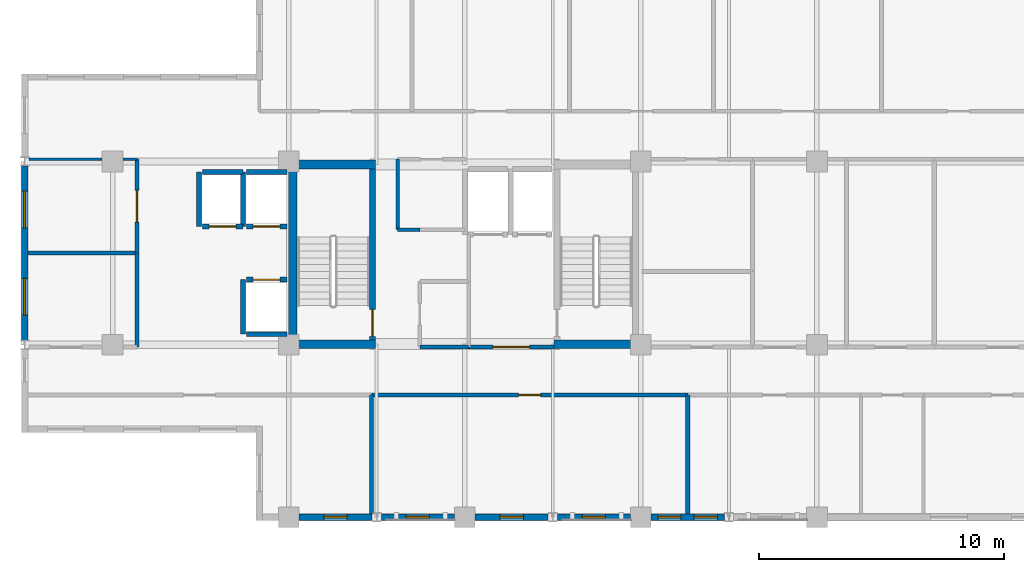
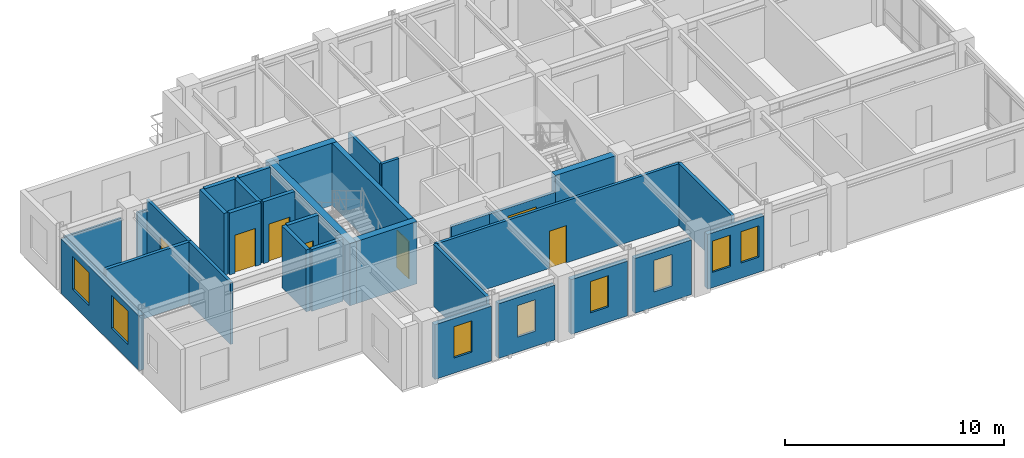
# One storey, part 6 of 10: 32 walls, 8 windows, 7 doors, 15 openings.
"""IFC4 building model written with IfcOpenShell, lengths in metres."""

import ifcopenshell
import ifcopenshell.guid

model = None  # the IFC model being written
_history = None  # IfcOwnerHistory: only IFC2X3 demands one
_inside = {}  # id of a spatial element -> (the spatial element, [elements in it])
_under = {}  # id of a project, library or spatial element -> (it, [spatial elements below it])
_declared = {}  # id of a project -> (the project, [libraries it declares])
_typed = {}  # id of a type object -> (the type object, [elements of that type])
_made_of = {}  # id of a material, layer set ... -> (it, [elements and type objects made of it])


def new_model(schema):
    """Start an empty IFC model of exactly this schema.

    Asked for "IFC4X3", IfcOpenShell would pick the latest addendum, in which some entities
    have other attributes; the version numbers below select the first issue.
    IFC2X3 requires an IfcOwnerHistory on every rooted entity: one is made here for all.
    """
    global model, _history
    if schema == "IFC4X3":
        model = ifcopenshell.file(schema_version=(4, 3, 0, 0))
    else:
        model = ifcopenshell.file(schema=schema)
    _inside.clear()
    _under.clear()
    _declared.clear()
    _typed.clear()
    _made_of.clear()
    _history = None
    if model.schema == "IFC2X3":
        org = make("IfcOrganization", Name="unknown")
        user = make(
            "IfcPersonAndOrganization",
            ThePerson=make("IfcPerson", FamilyName="unknown"),
            TheOrganization=org,
        )
        app = make(
            "IfcApplication",
            ApplicationDeveloper=org,
            Version="unknown",
            ApplicationFullName="unknown",
            ApplicationIdentifier="unknown",
        )
        _history = make(
            "IfcOwnerHistory",
            OwningUser=user,
            OwningApplication=app,
            ChangeAction="ADDED",
            CreationDate=0,
        )
    return model


def make(cls, **values):
    """One entity of the class cls with the attributes given. An attribute that is None is left unset."""
    return model.create_entity(
        cls, **{name: value for name, value in values.items() if value is not None}
    )


def rooted(cls, **values):
    """An entity with a GlobalId (a new one), such as an element, a storey or a relation."""
    return make(cls, GlobalId=ifcopenshell.guid.new(), OwnerHistory=_history, **values)


def si_unit(unit_type, name, prefix=None):
    """IfcSIUnit, for example si_unit("LENGTHUNIT", "METRE", prefix="MILLI")."""
    return make("IfcSIUnit", UnitType=unit_type, Prefix=prefix, Name=name)


def assignment(units):
    """IfcUnitAssignment: the units of a project."""
    return None if units is None else make("IfcUnitAssignment", Units=units)


def point(xyz):
    """IfcCartesianPoint."""
    return None if xyz is None else make("IfcCartesianPoint", Coordinates=xyz)


def direction(xyz):
    """IfcDirection."""
    return None if xyz is None else make("IfcDirection", DirectionRatios=xyz)


def frame(location, z_axis=None, x_axis=None):
    """IfcAxis2Placement3D, a coordinate frame: its origin and axes. An axis left out is left unset."""
    return make(
        "IfcAxis2Placement3D",
        Location=point(location),
        Axis=direction(z_axis),
        RefDirection=direction(x_axis),
    )


def frame_2d(location, x_axis=None):
    """IfcAxis2Placement2D, a coordinate frame in the plane: its origin and x axis."""
    return make(
        "IfcAxis2Placement2D", Location=point(location), RefDirection=direction(x_axis)
    )


def origin():
    """The frame at (0, 0, 0) with its axes left unset."""
    return frame((0.0, 0.0, 0.0))


def place(relative_to, where):
    """IfcLocalPlacement: puts the frame where relative to a parent placement (None: the world)."""
    return make(
        "IfcLocalPlacement", PlacementRelTo=relative_to, RelativePlacement=where
    )


def context(
    kind, dimensions, precision=None, world=None, true_north=None, identifier=None
):
    """IfcGeometricRepresentationContext, for example the 3D "Model" context."""
    return make(
        "IfcGeometricRepresentationContext",
        ContextIdentifier=identifier,
        ContextType=kind,
        CoordinateSpaceDimension=dimensions,
        Precision=precision,
        WorldCoordinateSystem=world,
        TrueNorth=true_north,
    )


def subcontext(parent, identifier, kind, view, scale=None):
    """IfcGeometricRepresentationSubContext, for example "Body" below "Model"."""
    return make(
        "IfcGeometricRepresentationSubContext",
        ContextIdentifier=identifier,
        ContextType=kind,
        ParentContext=parent,
        TargetScale=scale,
        TargetView=view,
    )


def project(units=None, contexts=None):
    """IfcProject with its units and contexts."""
    return rooted(
        "IfcProject",
        Name="project",
        RepresentationContexts=contexts,
        UnitsInContext=assignment(units),
    )


def spatial(cls, under=None, at=None, **own):
    """A site, building, storey or space (cls), placed at a placement, below another one or the project."""
    s = rooted(cls, ObjectPlacement=at, **own)
    if under is not None:
        _under.setdefault(under.id(), (under, []))[1].append(s)
    return s


def profile(cls, at=None, kind="AREA", **sizes):
    """A parametric profile (cls). Its sizes go by their IFC names, for example OverallWidth=200.0."""
    return make(cls, ProfileType=kind, Position=at, **sizes)


def rectangle(**sizes):
    """IfcRectangleProfileDef."""
    return profile("IfcRectangleProfileDef", **sizes)


def extrude(swept, where, along, depth):
    """IfcExtrudedAreaSolid: the profile swept, set in the frame where, extruded along a direction by depth."""
    return make(
        "IfcExtrudedAreaSolid",
        SweptArea=swept,
        Position=where,
        ExtrudedDirection=direction(along),
        Depth=depth,
    )


def shape(context_of_items, identifier, shape_type, items):
    """IfcShapeRepresentation: the items that make up one representation, for example the "Body"."""
    return make(
        "IfcShapeRepresentation",
        ContextOfItems=context_of_items,
        RepresentationIdentifier=identifier,
        RepresentationType=shape_type,
        Items=items,
    )


def material(Name=None, Category=None):
    """IfcMaterial."""
    return make("IfcMaterial", Name=Name, Category=Category)


def layer(
    of_material, thickness, ventilated=None, Name=None, Category=None, Priority=None
):
    """IfcMaterialLayer: one layer of a wall or slab, of a material (None: an air gap)."""
    return make(
        "IfcMaterialLayer",
        Material=of_material,
        LayerThickness=thickness,
        IsVentilated=ventilated,
        Name=Name,
        Category=Category,
        Priority=Priority,
    )


def layer_set(layers, Name=None):
    """IfcMaterialLayerSet."""
    return make("IfcMaterialLayerSet", MaterialLayers=layers, LayerSetName=Name)


def made_of(thing, what):
    """Note that an element or type object is made of a material, layer set ...; save() writes the relation."""
    if what is not None:
        _made_of.setdefault(what.id(), (what, []))[1].append(thing)
    return thing


def type_object(cls, material=None, **own):
    """A type object (cls), such as IfcWallType, which elements share."""
    return made_of(rooted(cls, **own), material)


def element(
    cls,
    number,
    at=None,
    inside=None,
    cuts=None,
    type_object=None,
    material=None,
    context=None,
    identifier="Body",
    shape_type=None,
    held_by="IfcProductDefinitionShape",
    body=None,
    shapes=None,
    **own,
):
    """One element of the class cls, such as IfcWall. Its Tag is "e" and its number.

    at: its placement. inside: the storey or other place that contains it. cuts: it is an
    opening in that element (IfcRelVoidsElement). A single representation is given by context,
    identifier, shape_type and body (its items); several are given by shapes. held_by: the class
    of the entity that holds the representations. save() writes the other relations.
    """
    e = rooted(cls, Tag="e%d" % number, ObjectPlacement=at, **own)
    if body is not None:
        shapes = [shape(context, identifier, shape_type, body)]
    if shapes is not None:
        e.Representation = make(held_by, Representations=shapes)
    if inside is not None:
        _inside.setdefault(inside.id(), (inside, []))[1].append(e)
    if cuts is not None:
        rooted(
            "IfcRelVoidsElement", RelatingBuildingElement=cuts, RelatedOpeningElement=e
        )
    if type_object is not None:
        _typed.setdefault(type_object.id(), (type_object, []))[1].append(e)
    return made_of(e, material)


def fill(opening, filler):
    """IfcRelFillsElement: the door or window that sits in an opening."""
    return rooted(
        "IfcRelFillsElement",
        RelatingOpeningElement=opening,
        RelatedBuildingElement=filler,
    )


def aggregate(whole, parts):
    """IfcRelAggregates: a whole, such as a stair, and the parts it consists of."""
    return rooted("IfcRelAggregates", RelatingObject=whole, RelatedObjects=parts)


def save(model, path):
    """Write the relations noted so far, then the file.

    IfcRelAggregates (storeys below a building ...), IfcRelContainedInSpatialStructure (elements
    in a storey), IfcRelDefinesByType, IfcRelAssociatesMaterial and IfcRelDeclares: one each for
    every whole, place, type object, material and project.
    """
    for whole, parts in _under.values():
        aggregate(whole, parts)
    for where, things in _inside.values():
        rooted(
            "IfcRelContainedInSpatialStructure",
            RelatedElements=things,
            RelatingStructure=where,
        )
    for kind, things in _typed.values():
        rooted("IfcRelDefinesByType", RelatedObjects=things, RelatingType=kind)
    for what, things in _made_of.values():
        rooted("IfcRelAssociatesMaterial", RelatedObjects=things, RelatingMaterial=what)
    for by, libraries in _declared.values():
        rooted("IfcRelDeclares", RelatingContext=by, RelatedDefinitions=libraries)
    model.write(path)


model = new_model("IFC4")

# Units and contexts
model_context = context("Model", 3, precision=1e-05, world=origin(), true_north=direction((0.0, 1.0)))
body_context = subcontext(model_context, "Body", "Model", "MODEL_VIEW")
ifc_project = project(units=[si_unit("LENGTHUNIT", "METRE"), si_unit("AREAUNIT", "SQUARE_METRE"), si_unit("VOLUMEUNIT", "CUBIC_METRE"), si_unit("PLANEANGLEUNIT", "RADIAN"), si_unit("MASSUNIT", "GRAM", prefix="KILO")], contexts=[model_context])

# Site, building, storey
site_placement = place(None, origin())
site = spatial("IfcSite", under=ifc_project, at=site_placement, CompositionType="ELEMENT")
building_placement = place(site_placement, origin())
building = spatial("IfcBuilding", under=site, at=building_placement, Name="Kaliganga Portal Commons", CompositionType="ELEMENT")
storey_placement = place(building_placement, frame((0.0, 0.0, 286.89990234375)))
storey = spatial("IfcBuildingStorey", under=building, at=storey_placement, Name="L74", CompositionType="ELEMENT", Elevation=286.89990234375)

# Walls
ifc_material_1 = material(Name="Concrete C50/60", Category="concrete")
ifc_layer_1 = layer(ifc_material_1, 0.35009765625)
ifc_layer_set_1 = layer_set([ifc_layer_1], Name="Concrete C50/60")
wall_type_1 = type_object("IfcWallType", Name="WL-CORE-350", PredefinedType="SHEAR", material=ifc_layer_set_1)
wall_1_placement = place(storey_placement, frame((14.574951171875, 28.5, 0.0), z_axis=(0.0, 0.0, 1.0), x_axis=(0.0, 1.0, 0.0)))
element("IfcWall", 1, at=wall_1_placement, inside=storey, type_object=wall_type_1, Name="Core A West Shear Wall L74", PredefinedType="SHEAR", context=body_context, shape_type="SweptSolid", body=[
    extrude(rectangle(XDim=7.699951171875, YDim=0.35009765625, at=frame_2d((3.85009765625, 0.0))), origin(), (0.0, 0.0, 1.0), 3.47509765625),
])
for number, where, z_axis, x_axis, name in (
    (2, (14.75, 28.675048828125, 0.0), (0.0, 0.0, 1.0), (1.0, 0.0, 0.0), "Core A S-West Shear Wall L74"),
    (3, (25.25, 28.675048828125, 0.0), (0.0, 0.0, 1.0), (1.0, 0.0, 0.0), "Core A S-East Shear Wall L74"),
    (4, (14.75, 36.02490234375, 0.0), (0.0, 0.0, 1.0), (1.0, 0.0, 0.0), "Core A N-West Shear Wall L74"),
):
    element("IfcWall", number, at=place(storey_placement, frame(where, z_axis=z_axis, x_axis=x_axis)), inside=storey, type_object=wall_type_1, Name=name, PredefinedType="SHEAR", context=body_context, shape_type="SweptSolid", body=[
        extrude(rectangle(XDim=3.199951171875, YDim=0.35009765625, at=frame_2d((1.60009765625, 0.0))), origin(), (0.0, 0.0, 1.0), 3.47509765625),
    ])

# Wall, opening, window
ifc_material_2 = material(Name="Insulated Aluminium-Clad Spandrel Assembly", Category="aluminium")
ifc_layer_2 = layer(ifc_material_2, 0.260009765625)
ifc_layer_set_2 = layer_set([ifc_layer_2], Name="Insulated Aluminium-Clad Spandrel Assembly")
wall_type_2 = type_object("IfcWallType", Name="WL-EXT-SPAND-260", PredefinedType="STANDARD", material=ifc_layer_set_2)
wall_2_placement = place(storey_placement, frame((17.81201171875, 21.60009765625, 0.0), z_axis=(0.0, 0.0, 1.0), x_axis=(-1.0, 0.0, 0.0)))
wall_2 = element("IfcWall", 5, at=wall_2_placement, inside=storey, type_object=wall_type_2, Name="Exterior Envelope Wall L74 P1-E00-S2", PredefinedType="STANDARD", context=body_context, shape_type="SweptSolid", body=[
    extrude(rectangle(XDim=2.986083984375, YDim=0.260009765625, at=frame_2d((1.4931640625, 0.0))), origin(), (0.0, 0.0, 1.0), 3.05517578125),
])
opening_1_placement = place(wall_2_placement, frame((1.01806640625, 0.0, 0.85009765625)))
opening_1 = element("IfcOpeningElement", 6, at=opening_1_placement, cuts=wall_2, Name="Opening W-04", PredefinedType="OPENING", context=body_context, shape_type="SweptSolid", body=[
    extrude(rectangle(XDim=0.949951171875, YDim=1.75, at=frame_2d((0.47509765625, 0.875))), frame((0.0, 0.14013671875, 0.0), z_axis=(0.0, -1.0, 0.0), x_axis=(1.0, 0.0, 0.0)), (0.0, 0.0, 1.0), 0.280029296875),
])
ifc_material_3 = material(Name="Thermally Broken Aluminium and Low-E Double Glazing", Category="aluminium")
window_type_1 = type_object("IfcWindowType", Name="WIN-NARROW-950", PartitioningType="SINGLE_PANEL", PredefinedType="WINDOW", material=ifc_material_3)
window_1_placement = place(opening_1_placement, origin())
window_1 = element("IfcWindow", 7, at=window_1_placement, inside=storey, type_object=window_type_1, Name="Facade Window L74-P1E00S2-00", OverallHeight=1.75, OverallWidth=0.949951171875, PartitioningType="SINGLE_PANEL", PredefinedType="WINDOW", context=body_context, shape_type="SweptSolid", body=[
    extrude(rectangle(XDim=0.949951171875, YDim=1.75, at=frame_2d((0.47509765625, 0.875))), frame((0.0, 0.030029296875, 0.0), z_axis=(0.0, -1.0, 0.0), x_axis=(1.0, 0.0, 0.0)), (0.0, 0.0, 1.0), 0.06005859375),
])
fill(opening_1, window_1)

wall_3_placement = place(storey_placement, frame((21.174072265625, 21.60009765625, 0.0), z_axis=(0.0, 0.0, 1.0), x_axis=(-1.0, 0.0, 0.0)))
wall_3 = element("IfcWall", 8, at=wall_3_placement, inside=storey, type_object=wall_type_2, Name="Exterior Envelope Wall L74 P1-E00-S3", PredefinedType="STANDARD", context=body_context, shape_type="SweptSolid", body=[
    extrude(rectangle(XDim=2.986083984375, YDim=0.260009765625, at=frame_2d((1.4931640625, 0.0))), origin(), (0.0, 0.0, 1.0), 3.05517578125),
])
opening_2_placement = place(wall_3_placement, frame((1.01806640625, 0.0, 0.85009765625)))
opening_2 = element("IfcOpeningElement", 9, at=opening_2_placement, cuts=wall_3, Name="Opening W-04", PredefinedType="OPENING", context=body_context, shape_type="SweptSolid", body=[
    extrude(rectangle(XDim=0.949951171875, YDim=1.75, at=frame_2d((0.47509765625, 0.875))), frame((0.0, 0.14013671875, 0.0), z_axis=(0.0, -1.0, 0.0), x_axis=(1.0, 0.0, 0.0)), (0.0, 0.0, 1.0), 0.280029296875),
])
window_2_placement = place(opening_2_placement, origin())
window_2 = element("IfcWindow", 10, at=window_2_placement, inside=storey, type_object=window_type_1, Name="Facade Window L74-P1E00S3-00", OverallHeight=1.75, OverallWidth=0.949951171875, PartitioningType="SINGLE_PANEL", PredefinedType="WINDOW", context=body_context, shape_type="SweptSolid", body=[
    extrude(rectangle(XDim=0.949951171875, YDim=1.75, at=frame_2d((0.47509765625, 0.875))), frame((0.0, 0.030029296875, 0.0), z_axis=(0.0, -1.0, 0.0), x_axis=(1.0, 0.0, 0.0)), (0.0, 0.0, 1.0), 0.06005859375),
])
fill(opening_2, window_2)

wall_4_placement = place(storey_placement, frame((25.011962890625, 21.60009765625, 0.0), z_axis=(0.0, 0.0, 1.0), x_axis=(-1.0, 0.0, 0.0)))
wall_4 = element("IfcWall", 11, at=wall_4_placement, inside=storey, type_object=wall_type_2, Name="Exterior Envelope Wall L74 P1-E00-S4", PredefinedType="STANDARD", context=body_context, shape_type="SweptSolid", body=[
    extrude(rectangle(XDim=2.986083984375, YDim=0.260009765625, at=frame_2d((1.4931640625, 0.0))), origin(), (0.0, 0.0, 1.0), 3.05517578125),
])
opening_3_placement = place(wall_4_placement, frame((1.01806640625, 0.0, 0.85009765625)))
opening_3 = element("IfcOpeningElement", 12, at=opening_3_placement, cuts=wall_4, Name="Opening W-04", PredefinedType="OPENING", context=body_context, shape_type="SweptSolid", body=[
    extrude(rectangle(XDim=0.949951171875, YDim=1.75, at=frame_2d((0.47509765625, 0.875))), frame((0.0, 0.14013671875, 0.0), z_axis=(0.0, -1.0, 0.0), x_axis=(1.0, 0.0, 0.0)), (0.0, 0.0, 1.0), 0.280029296875),
])
window_3_placement = place(opening_3_placement, origin())
window_3 = element("IfcWindow", 13, at=window_3_placement, inside=storey, type_object=window_type_1, Name="Facade Window L74-P1E00S4-00", OverallHeight=1.75, OverallWidth=0.949951171875, PartitioningType="SINGLE_PANEL", PredefinedType="WINDOW", context=body_context, shape_type="SweptSolid", body=[
    extrude(rectangle(XDim=0.949951171875, YDim=1.75, at=frame_2d((0.47509765625, 0.875))), frame((0.0, 0.030029296875, 0.0), z_axis=(0.0, -1.0, 0.0), x_axis=(1.0, 0.0, 0.0)), (0.0, 0.0, 1.0), 0.06005859375),
])
fill(opening_3, window_3)

wall_5_placement = place(storey_placement, frame((28.3740234375, 21.60009765625, 0.0), z_axis=(0.0, 0.0, 1.0), x_axis=(-1.0, 0.0, 0.0)))
wall_5 = element("IfcWall", 14, at=wall_5_placement, inside=storey, type_object=wall_type_2, Name="Exterior Envelope Wall L74 P1-E00-S5", PredefinedType="STANDARD", context=body_context, shape_type="SweptSolid", body=[
    extrude(rectangle(XDim=2.986083984375, YDim=0.260009765625, at=frame_2d((1.4931640625, 0.0))), origin(), (0.0, 0.0, 1.0), 3.05517578125),
])
opening_4_placement = place(wall_5_placement, frame((1.01806640625, 0.0, 0.85009765625)))
opening_4 = element("IfcOpeningElement", 15, at=opening_4_placement, cuts=wall_5, Name="Opening W-04", PredefinedType="OPENING", context=body_context, shape_type="SweptSolid", body=[
    extrude(rectangle(XDim=0.949951171875, YDim=1.75, at=frame_2d((0.47509765625, 0.875))), frame((0.0, 0.14013671875, 0.0), z_axis=(0.0, -1.0, 0.0), x_axis=(1.0, 0.0, 0.0)), (0.0, 0.0, 1.0), 0.280029296875),
])
window_4_placement = place(opening_4_placement, origin())
window_4 = element("IfcWindow", 16, at=window_4_placement, inside=storey, type_object=window_type_1, Name="Facade Window L74-P1E00S5-00", OverallHeight=1.75, OverallWidth=0.949951171875, PartitioningType="SINGLE_PANEL", PredefinedType="WINDOW", context=body_context, shape_type="SweptSolid", body=[
    extrude(rectangle(XDim=0.949951171875, YDim=1.75, at=frame_2d((0.47509765625, 0.875))), frame((0.0, 0.030029296875, 0.0), z_axis=(0.0, -1.0, 0.0), x_axis=(1.0, 0.0, 0.0)), (0.0, 0.0, 1.0), 0.06005859375),
])
fill(opening_4, window_4)

# Wall, openings, windows
wall_6_placement = place(storey_placement, frame((32.2119140625, 21.60009765625, 0.0), z_axis=(0.0, 0.0, 1.0), x_axis=(-1.0, 0.0, 0.0)))
wall_6 = element("IfcWall", 17, at=wall_6_placement, inside=storey, type_object=wall_type_2, Name="Exterior Envelope Wall L74 P1-E00-S6", PredefinedType="STANDARD", context=body_context, shape_type="SweptSolid", body=[
    extrude(rectangle(XDim=2.98583984375, YDim=0.260009765625, at=frame_2d((1.492919921875, 0.0))), origin(), (0.0, 0.0, 1.0), 3.05517578125),
])
opening_5_placement = place(wall_6_placement, frame((0.277587890625, 0.0, 0.85009765625)))
opening_5 = element("IfcOpeningElement", 18, at=opening_5_placement, cuts=wall_6, Name="Opening W-04", PredefinedType="OPENING", context=body_context, shape_type="SweptSolid", body=[
    extrude(rectangle(XDim=0.949951171875, YDim=1.75, at=frame_2d((0.47509765625, 0.875))), frame((0.0, 0.14013671875, 0.0), z_axis=(0.0, -1.0, 0.0), x_axis=(1.0, 0.0, 0.0)), (0.0, 0.0, 1.0), 0.280029296875),
])
opening_6_placement = place(wall_6_placement, frame((1.758544921875, 0.0, 0.85009765625)))
opening_6 = element("IfcOpeningElement", 19, at=opening_6_placement, cuts=wall_6, Name="Opening W-04", PredefinedType="OPENING", context=body_context, shape_type="SweptSolid", body=[
    extrude(rectangle(XDim=0.949951171875, YDim=1.75, at=frame_2d((0.47509765625, 0.875))), frame((0.0, 0.14013671875, 0.0), z_axis=(0.0, -1.0, 0.0), x_axis=(1.0, 0.0, 0.0)), (0.0, 0.0, 1.0), 0.280029296875),
])
window_5_placement = place(opening_5_placement, origin())
window_5 = element("IfcWindow", 20, at=window_5_placement, inside=storey, type_object=window_type_1, Name="Facade Window L74-P1E00S6-N1", OverallHeight=1.75, OverallWidth=0.949951171875, PartitioningType="SINGLE_PANEL", PredefinedType="WINDOW", context=body_context, shape_type="SweptSolid", body=[
    extrude(rectangle(XDim=0.949951171875, YDim=1.75, at=frame_2d((0.47509765625, 0.875))), frame((0.0, 0.030029296875, 0.0), z_axis=(0.0, -1.0, 0.0), x_axis=(1.0, 0.0, 0.0)), (0.0, 0.0, 1.0), 0.06005859375),
])
fill(opening_5, window_5)
window_6_placement = place(opening_6_placement, origin())
window_6 = element("IfcWindow", 21, at=window_6_placement, inside=storey, type_object=window_type_1, Name="Facade Window L74-P1E00S6-N2", OverallHeight=1.75, OverallWidth=0.949951171875, PartitioningType="SINGLE_PANEL", PredefinedType="WINDOW", context=body_context, shape_type="SweptSolid", body=[
    extrude(rectangle(XDim=0.949951171875, YDim=1.75, at=frame_2d((0.47509765625, 0.875))), frame((0.0, 0.030029296875, 0.0), z_axis=(0.0, -1.0, 0.0), x_axis=(1.0, 0.0, 0.0)), (0.0, 0.0, 1.0), 0.06005859375),
])
fill(opening_6, window_6)

wall_7_placement = place(storey_placement, frame((3.60009765625, 28.8369140625, 0.0), z_axis=(0.0, 0.0, 1.0), x_axis=(0.0, 1.0, 0.0)))
wall_7 = element("IfcWall", 22, at=wall_7_placement, inside=storey, type_object=wall_type_2, Name="Exterior Envelope Wall L74 P1-E05-S2", PredefinedType="STANDARD", context=body_context, shape_type="SweptSolid", body=[
    extrude(rectangle(XDim=7.1259765625, YDim=0.260009765625, at=frame_2d((3.56298828125, 0.0))), origin(), (0.0, 0.0, 1.0), 3.05517578125),
])
opening_7_placement = place(wall_7_placement, frame((1.031494140625, 0.0, 0.85009765625)))
opening_7 = element("IfcOpeningElement", 23, at=opening_7_placement, cuts=wall_7, Name="Opening W-02", PredefinedType="OPENING", context=body_context, shape_type="SweptSolid", body=[
    extrude(rectangle(XDim=1.5, YDim=1.85009765625, at=frame_2d((0.75, 0.925048828125))), frame((0.0, 0.14013671875, 0.0), z_axis=(0.0, -1.0, 0.0), x_axis=(1.0, 0.0, 0.0)), (0.0, 0.0, 1.0), 0.280029296875),
])
opening_8_placement = place(wall_7_placement, frame((4.594482421875, 0.0, 0.85009765625)))
opening_8 = element("IfcOpeningElement", 24, at=opening_8_placement, cuts=wall_7, Name="Opening W-02", PredefinedType="OPENING", context=body_context, shape_type="SweptSolid", body=[
    extrude(rectangle(XDim=1.5, YDim=1.85009765625, at=frame_2d((0.75, 0.925048828125))), frame((0.0, 0.14013671875, 0.0), z_axis=(0.0, -1.0, 0.0), x_axis=(1.0, 0.0, 0.0)), (0.0, 0.0, 1.0), 0.280029296875),
])
window_type_2 = type_object("IfcWindowType", Name="WIN-STD-1500", PartitioningType="DOUBLE_PANEL_VERTICAL", PredefinedType="WINDOW", material=ifc_material_3)
window_7_placement = place(opening_7_placement, origin())
window_7 = element("IfcWindow", 25, at=window_7_placement, inside=storey, type_object=window_type_2, Name="Facade Window L74-P1E05S2-00", OverallHeight=1.85009765625, OverallWidth=1.5, PartitioningType="SINGLE_PANEL", PredefinedType="WINDOW", context=body_context, shape_type="SweptSolid", body=[
    extrude(rectangle(XDim=1.5, YDim=1.85009765625, at=frame_2d((0.75, 0.925048828125))), frame((0.0, 0.030029296875, 0.0), z_axis=(0.0, -1.0, 0.0), x_axis=(1.0, 0.0, 0.0)), (0.0, 0.0, 1.0), 0.06005859375),
])
fill(opening_7, window_7)
window_8_placement = place(opening_8_placement, origin())
window_8 = element("IfcWindow", 26, at=window_8_placement, inside=storey, type_object=window_type_2, Name="Facade Window L74-P1E05S2-01", OverallHeight=1.85009765625, OverallWidth=1.5, PartitioningType="SINGLE_PANEL", PredefinedType="WINDOW", context=body_context, shape_type="SweptSolid", body=[
    extrude(rectangle(XDim=1.5, YDim=1.85009765625, at=frame_2d((0.75, 0.925048828125))), frame((0.0, 0.030029296875, 0.0), z_axis=(0.0, -1.0, 0.0), x_axis=(1.0, 0.0, 0.0)), (0.0, 0.0, 1.0), 0.06005859375),
])
fill(opening_8, window_8)

# Wall, opening, door
ifc_material_4 = material(Name="Fire-Rated Gypsum Board on Steel Stud", Category="steel")
ifc_layer_3 = layer(ifc_material_4, 0.14990234375)
ifc_layer_set_3 = layer_set([ifc_layer_3], Name="Fire-Rated Gypsum Board on Steel Stud")
wall_type_3 = type_object("IfcWallType", Name="WL-PART-CORR-150", PredefinedType="PARTITIONING", material=ifc_layer_set_3)
wall_8_placement = place(storey_placement, frame((17.780029296875, 26.60009765625, 0.0), z_axis=(0.0, 0.0, 1.0), x_axis=(1.0, 0.0, 0.0)))
wall_8 = element("IfcWall", 27, at=wall_8_placement, inside=storey, type_object=wall_type_3, Name="Interior Partition L74-002", PredefinedType="PARTITIONING", context=body_context, shape_type="SweptSolid", body=[
    extrude(rectangle(XDim=12.93994140625, YDim=0.14990234375, at=frame_2d((6.469970703125, 0.0))), origin(), (0.0, 0.0, 1.0), 3.455078125),
])
opening_9_placement = place(wall_8_placement, frame((6.02001953125, 0.0, 0.0)))
opening_9 = element("IfcOpeningElement", 28, at=opening_9_placement, cuts=wall_8, Name="Opening RD-01", PredefinedType="OPENING", context=body_context, shape_type="SweptSolid", body=[
    extrude(rectangle(XDim=0.89990234375, YDim=2.080078125, at=frame_2d((0.449951171875, 1.0400390625))), frame((0.0, 0.0849609375, 0.0), z_axis=(0.0, -1.0, 0.0), x_axis=(1.0, 0.0, 0.0)), (0.0, 0.0, 1.0), 0.169921875),
])
ifc_material_5 = material(Name="Engineered Timber Flush Door", Category="wood")
door_type_1 = type_object("IfcDoorType", Name="DR-ROOM-900", OperationType="NOTDEFINED", PredefinedType="DOOR", material=ifc_material_5)
door_1_placement = place(opening_9_placement, origin())
door_1 = element("IfcDoor", 29, at=door_1_placement, inside=storey, type_object=door_type_1, Name="Interior Door L74-AS02", OperationType="SINGLE_SWING_RIGHT", OverallHeight=2.080078125, OverallWidth=0.89990234375, PredefinedType="DOOR", context=body_context, shape_type="SweptSolid", body=[
    extrude(rectangle(XDim=0.89990234375, YDim=2.080078125, at=frame_2d((0.449951171875, 1.0400390625))), frame((0.0, 0.02490234375, 0.0), z_axis=(0.0, -1.0, 0.0), x_axis=(1.0, 0.0, 0.0)), (0.0, 0.0, 1.0), 0.050048828125),
])
fill(opening_9, door_1)

wall_9_placement = place(storey_placement, frame((8.199951171875, 32.39990234375, 0.0), z_axis=(0.0, 0.0, 1.0), x_axis=(0.0, 1.0, 0.0)))
wall_9 = element("IfcWall", 30, at=wall_9_placement, inside=storey, type_object=wall_type_3, Name="Interior Partition L74-020", PredefinedType="PARTITIONING", context=body_context, shape_type="SweptSolid", body=[
    extrude(rectangle(XDim=3.840087890625, YDim=0.14990234375, at=frame_2d((1.919921875, 0.0))), origin(), (0.0, 0.0, 1.0), 3.455078125),
])
opening_10_placement = place(wall_9_placement, frame((1.27001953125, 0.0, 0.0)))
opening_10 = element("IfcOpeningElement", 31, at=opening_10_placement, cuts=wall_9, Name="Opening RD-03", PredefinedType="OPENING", context=body_context, shape_type="SweptSolid", body=[
    extrude(rectangle(XDim=1.300048828125, YDim=2.1201171875, at=frame_2d((0.64990234375, 1.06005859375))), frame((0.0, 0.0849609375, 0.0), z_axis=(0.0, -1.0, 0.0), x_axis=(1.0, 0.0, 0.0)), (0.0, 0.0, 1.0), 0.169921875),
])
ifc_material_6 = material(Name="Glazed Timber Seminar Vision Door", Category="wood")
door_type_2 = type_object("IfcDoorType", Name="DR-STUDY-1300", OperationType="DOUBLE_DOOR_SINGLE_SWING", PredefinedType="DOOR", material=ifc_material_6)
door_2_placement = place(opening_10_placement, origin())
door_2 = element("IfcDoor", 32, at=door_2_placement, inside=storey, type_object=door_type_2, Name="Interior Door L74-AW02", OperationType="DOUBLE_DOOR_SINGLE_SWING", OverallHeight=2.1201171875, OverallWidth=1.300048828125, PredefinedType="DOOR", context=body_context, shape_type="SweptSolid", body=[
    extrude(rectangle(XDim=1.300048828125, YDim=2.1201171875, at=frame_2d((0.64990234375, 1.06005859375))), frame((0.0, 0.02490234375, 0.0), z_axis=(0.0, -1.0, 0.0), x_axis=(1.0, 0.0, 0.0)), (0.0, 0.0, 1.0), 0.050048828125),
])
fill(opening_10, door_2)

# Walls
wall_10_placement = place(storey_placement, frame((8.199951171875, 28.56005859375, 0.0), z_axis=(0.0, 0.0, 1.0), x_axis=(0.0, 1.0, 0.0)))
element("IfcWall", 33, at=wall_10_placement, inside=storey, type_object=wall_type_3, Name="Interior Partition L74-021", PredefinedType="PARTITIONING", context=body_context, shape_type="SweptSolid", body=[
    extrude(rectangle(XDim=3.83984375, YDim=0.14990234375, at=frame_2d((1.919921875, 0.0))), origin(), (0.0, 0.0, 1.0), 3.455078125),
])
wall_11_placement = place(storey_placement, frame((18.860107421875, 33.360107421875, 0.0), z_axis=(0.0, 0.0, 1.0), x_axis=(0.0, 1.0, 0.0)))
element("IfcWall", 34, at=wall_11_placement, inside=storey, type_object=wall_type_3, Name="Interior Partition L74-024", PredefinedType="PARTITIONING", context=body_context, shape_type="SweptSolid", body=[
    extrude(rectangle(XDim=2.8798828125, YDim=0.14990234375, at=frame_2d((1.43994140625, 0.0))), origin(), (0.0, 0.0, 1.0), 3.455078125),
])
wall_12_placement = place(storey_placement, frame((19.760009765625, 28.56005859375, 0.0), z_axis=(0.0, 0.0, 1.0), x_axis=(1.0, 0.0, 0.0)))
element("IfcWall", 35, at=wall_12_placement, inside=storey, type_object=wall_type_3, Name="Interior Partition L74-029", PredefinedType="PARTITIONING", context=body_context, shape_type="SweptSolid", body=[
    extrude(rectangle(XDim=2.0, YDim=0.14990234375, at=frame_2d((1.0, 0.0))), origin(), (0.0, 0.0, 1.0), 2.55517578125),
])
wall_13_placement = place(storey_placement, frame((18.860107421875, 33.360107421875, 0.0), z_axis=(0.0, 0.0, 1.0), x_axis=(1.0, 0.0, 0.0)))
element("IfcWall", 36, at=wall_13_placement, inside=storey, type_object=wall_type_3, Name="Interior Partition L74-033", PredefinedType="PARTITIONING", context=body_context, shape_type="SweptSolid", body=[
    extrude(rectangle(XDim=0.89990234375, YDim=0.14990234375, at=frame_2d((0.449951171875, 0.0))), origin(), (0.0, 0.0, 1.0), 3.455078125),
])

# Wall, opening, door
wall_14_placement = place(storey_placement, frame((21.760009765625, 28.56005859375, 0.0), z_axis=(0.0, 0.0, 1.0), x_axis=(1.0, 0.0, 0.0)))
wall_14 = element("IfcWall", 37, at=wall_14_placement, inside=storey, type_object=wall_type_3, Name="Interior Partition L74-051", PredefinedType="PARTITIONING", context=body_context, shape_type="SweptSolid", body=[
    extrude(rectangle(XDim=3.47998046875, YDim=0.14990234375, at=frame_2d((1.739990234375, 0.0))), origin(), (0.0, 0.0, 1.0), 2.55517578125),
])
opening_11_placement = place(wall_14_placement, frame((0.989990234375, 0.0, 0.0)))
opening_11 = element("IfcOpeningElement", 38, at=opening_11_placement, cuts=wall_14, Name="Opening FD-01", PredefinedType="OPENING", context=body_context, shape_type="SweptSolid", body=[
    extrude(rectangle(XDim=1.5, YDim=2.10009765625, at=frame_2d((0.75, 1.050048828125))), frame((0.0, 0.0849609375, 0.0), z_axis=(0.0, -1.0, 0.0), x_axis=(1.0, 0.0, 0.0)), (0.0, 0.0, 1.0), 0.169921875),
])
ifc_material_7 = material(Name="Fire-Rated Hardwood and Georgian-Wired Vision Panel", Category="wood")
door_type_3 = type_object("IfcDoorType", Name="DR-LOBBY-1500", OperationType="DOUBLE_DOOR_SINGLE_SWING", PredefinedType="DOOR", material=ifc_material_7)
door_3_placement = place(opening_11_placement, origin())
door_3 = element("IfcDoor", 39, at=door_3_placement, inside=storey, type_object=door_type_3, Name="Interior Door L74-FFLOB_A", OperationType="DOUBLE_DOOR_SINGLE_SWING", OverallHeight=2.10009765625, OverallWidth=1.5, PredefinedType="DOOR", context=body_context, shape_type="SweptSolid", body=[
    extrude(rectangle(XDim=1.5, YDim=2.10009765625, at=frame_2d((0.75, 1.050048828125))), frame((0.0, 0.02490234375, 0.0), z_axis=(0.0, -1.0, 0.0), x_axis=(1.0, 0.0, 0.0)), (0.0, 0.0, 1.0), 0.050048828125),
])
fill(opening_11, door_3)

# Walls
ifc_material_8 = material(Name="Moisture-Resistant Gypsum Partition", Category="gypsum")
ifc_layer_4 = layer(ifc_material_8, 0.114990234375)
ifc_layer_set_4 = layer_set([ifc_layer_4], Name="Moisture-Resistant Gypsum Partition")
wall_type_4 = type_object("IfcWallType", Name="WL-PART-ROOM-115", PredefinedType="PARTITIONING", material=ifc_layer_set_4)
wall_15_placement = place(storey_placement, frame((3.787109375, 36.239990234375, 0.0), z_axis=(0.0, 0.0, 1.0), x_axis=(1.0, 0.0, 0.0)))
element("IfcWall", 40, at=wall_15_placement, inside=storey, type_object=wall_type_4, Name="Interior Partition L74-048", PredefinedType="PARTITIONING", context=body_context, shape_type="SweptSolid", body=[
    extrude(rectangle(XDim=2.98779296875, YDim=0.114990234375, at=frame_2d((1.493896484375, 0.0))), origin(), (0.0, 0.0, 1.0), 2.905029296875),
])
wall_16_placement = place(storey_placement, frame((7.625, 36.239990234375, 0.0), z_axis=(0.0, 0.0, 1.0), x_axis=(1.0, 0.0, 0.0)))
element("IfcWall", 41, at=wall_16_placement, inside=storey, type_object=wall_type_4, Name="Interior Partition L74-049", PredefinedType="PARTITIONING", context=body_context, shape_type="SweptSolid", body=[
    extrude(rectangle(XDim=0.574951171875, YDim=0.114990234375, at=frame_2d((0.28759765625, 0.0))), origin(), (0.0, 0.0, 1.0), 2.905029296875),
])
ifc_material_9 = material(Name="Twin-Stud Acoustic Gypsum Partition", Category="gypsum")
ifc_layer_5 = layer(ifc_material_9, 0.1650390625)
ifc_layer_set_5 = layer_set([ifc_layer_5], Name="Twin-Stud Acoustic Gypsum Partition")
wall_type_5 = type_object("IfcWallType", Name="WL-PART-UNIT-165", PredefinedType="PARTITIONING", material=ifc_layer_set_5)
for number, where, z_axis, x_axis, name in (
    (42, (17.780029296875, 21.73193359375, 0.0), (0.0, 0.0, 1.0), (0.0, 1.0, 0.0), "Interior Partition L74-037"),
    (43, (30.719970703125, 21.73193359375, 0.0), (0.0, 0.0, 1.0), (0.0, 1.0, 0.0), "Interior Partition L74-040"),
):
    element("IfcWall", number, at=place(storey_placement, frame(where, z_axis=z_axis, x_axis=x_axis)), inside=storey, type_object=wall_type_5, Name=name, PredefinedType="PARTITIONING", context=body_context, shape_type="SweptSolid", body=[
        extrude(rectangle(XDim=4.8681640625, YDim=0.1650390625, at=frame_2d((2.43408203125, 0.0))), origin(), (0.0, 0.0, 1.0), 3.455078125),
    ])
wall_17_placement = place(storey_placement, frame((3.73193359375, 32.39990234375, 0.0), z_axis=(0.0, 0.0, 1.0), x_axis=(1.0, 0.0, 0.0)))
element("IfcWall", 44, at=wall_17_placement, inside=storey, type_object=wall_type_5, Name="Interior Partition L74-047", PredefinedType="PARTITIONING", context=body_context, shape_type="SweptSolid", body=[
    extrude(rectangle(XDim=4.468017578125, YDim=0.1650390625, at=frame_2d((2.23388671875, 0.0))), origin(), (0.0, 0.0, 1.0), 3.455078125),
])

# Wall, opening, door
ifc_material_10 = material(Name="Fire-Rated Shaftwall Masonry Assembly", Category="masonry")
ifc_layer_6 = layer(ifc_material_10, 0.199951171875)
ifc_layer_set_6 = layer_set([ifc_layer_6], Name="Fire-Rated Shaftwall Masonry Assembly")
wall_type_6 = type_object("IfcWallType", Name="WL-SHAFT-200", PredefinedType="PARTITIONING", material=ifc_layer_set_6)
wall_18_placement = place(storey_placement, frame((12.675048828125, 33.485107421875, 0.0), z_axis=(0.0, 0.0, 1.0), x_axis=(1.0, 0.0, 0.0)))
wall_18 = element("IfcWall", 45, at=wall_18_placement, inside=storey, type_object=wall_type_6, Name="Lift PL-A3 Hoistway Shaft Wall L74-S", PredefinedType="PARTITIONING", context=body_context, shape_type="SweptSolid", body=[
    extrude(rectangle(XDim=1.64990234375, YDim=0.199951171875, at=frame_2d((0.824951171875, 0.0))), origin(), (0.0, 0.0, 1.0), 3.455078125),
])
opening_12_placement = place(wall_18_placement, frame((0.27490234375, 0.0, 0.0)))
opening_12 = element("IfcOpeningElement", 46, at=opening_12_placement, cuts=wall_18, Name="Opening LD-01", PredefinedType="OPENING", context=body_context, shape_type="SweptSolid", body=[
    extrude(rectangle(XDim=1.10009765625, YDim=2.1201171875, at=frame_2d((0.550048828125, 1.06005859375))), frame((0.0, 0.10986328125, 0.0), z_axis=(0.0, -1.0, 0.0), x_axis=(1.0, 0.0, 0.0)), (0.0, 0.0, 1.0), 0.219970703125),
])
ifc_material_11 = material(Name="Brushed Stainless Steel 316 Lift Landing Door", Category="steel")
door_type_4 = type_object("IfcDoorType", Name="DR-LIFT-1100", OperationType="SLIDING_TO_LEFT", PredefinedType="DOOR", material=ifc_material_11)
door_4_placement = place(opening_12_placement, origin())
door_4 = element("IfcDoor", 47, at=door_4_placement, inside=storey, type_object=door_type_4, Name="Lift PL-A3 Sliding Landing Door L74", OperationType="SLIDING_TO_LEFT", OverallHeight=2.1201171875, OverallWidth=1.10009765625, PredefinedType="DOOR", context=body_context, shape_type="SweptSolid", body=[
    extrude(rectangle(XDim=1.10009765625, YDim=2.1201171875, at=frame_2d((0.550048828125, 1.06005859375))), frame((0.0, 0.02490234375, 0.0), z_axis=(0.0, -1.0, 0.0), x_axis=(1.0, 0.0, 0.0)), (0.0, 0.0, 1.0), 0.050048828125),
])
fill(opening_12, door_4)

# Walls
wall_19_placement = place(storey_placement, frame((12.675048828125, 35.715087890625, 0.0), z_axis=(0.0, 0.0, 1.0), x_axis=(1.0, 0.0, 0.0)))
element("IfcWall", 48, at=wall_19_placement, inside=storey, type_object=wall_type_6, Name="Lift PL-A3 Hoistway Shaft Wall L74-N", PredefinedType="PARTITIONING", context=body_context, shape_type="SweptSolid", body=[
    extrude(rectangle(XDim=1.64990234375, YDim=0.199951171875, at=frame_2d((0.824951171875, 0.0))), origin(), (0.0, 0.0, 1.0), 3.455078125),
])
wall_20_placement = place(storey_placement, frame((12.534912109375, 33.485107421875, 0.0), z_axis=(0.0, 0.0, 1.0), x_axis=(0.0, 1.0, 0.0)))
element("IfcWall", 49, at=wall_20_placement, inside=storey, type_object=wall_type_6, Name="Lift PL-A3 Hoistway Shaft Wall L74-W", PredefinedType="PARTITIONING", context=body_context, shape_type="SweptSolid", body=[
    extrude(rectangle(XDim=2.22998046875, YDim=0.199951171875, at=frame_2d((1.114990234375, 0.0))), origin(), (0.0, 0.0, 1.0), 3.455078125),
])
wall_21_placement = place(storey_placement, frame((12.675048828125, 29.0849609375, 0.0), z_axis=(0.0, 0.0, 1.0), x_axis=(1.0, 0.0, 0.0)))
element("IfcWall", 50, at=wall_21_placement, inside=storey, type_object=wall_type_6, Name="Lift PL-A4 Hoistway Shaft Wall L74-S", PredefinedType="PARTITIONING", context=body_context, shape_type="SweptSolid", body=[
    extrude(rectangle(XDim=1.64990234375, YDim=0.199951171875, at=frame_2d((0.824951171875, 0.0))), origin(), (0.0, 0.0, 1.0), 3.455078125),
])

# Wall, opening, door
wall_22_placement = place(storey_placement, frame((12.675048828125, 31.31494140625, 0.0), z_axis=(0.0, 0.0, 1.0), x_axis=(1.0, 0.0, 0.0)))
wall_22 = element("IfcWall", 51, at=wall_22_placement, inside=storey, type_object=wall_type_6, Name="Lift PL-A4 Hoistway Shaft Wall L74-N", PredefinedType="PARTITIONING", context=body_context, shape_type="SweptSolid", body=[
    extrude(rectangle(XDim=1.64990234375, YDim=0.199951171875, at=frame_2d((0.824951171875, 0.0))), origin(), (0.0, 0.0, 1.0), 3.455078125),
])
opening_13_placement = place(wall_22_placement, frame((0.27490234375, 0.0, 0.0)))
opening_13 = element("IfcOpeningElement", 52, at=opening_13_placement, cuts=wall_22, Name="Opening LD-01", PredefinedType="OPENING", context=body_context, shape_type="SweptSolid", body=[
    extrude(rectangle(XDim=1.10009765625, YDim=2.1201171875, at=frame_2d((0.550048828125, 1.06005859375))), frame((0.0, 0.10986328125, 0.0), z_axis=(0.0, -1.0, 0.0), x_axis=(1.0, 0.0, 0.0)), (0.0, 0.0, 1.0), 0.219970703125),
])
door_5_placement = place(opening_13_placement, origin())
door_5 = element("IfcDoor", 53, at=door_5_placement, inside=storey, type_object=door_type_4, Name="Lift PL-A4 Sliding Landing Door L74", OperationType="SLIDING_TO_LEFT", OverallHeight=2.1201171875, OverallWidth=1.10009765625, PredefinedType="DOOR", context=body_context, shape_type="SweptSolid", body=[
    extrude(rectangle(XDim=1.10009765625, YDim=2.1201171875, at=frame_2d((0.550048828125, 1.06005859375))), frame((0.0, 0.02490234375, 0.0), z_axis=(0.0, -1.0, 0.0), x_axis=(1.0, 0.0, 0.0)), (0.0, 0.0, 1.0), 0.050048828125),
])
fill(opening_13, door_5)

# Wall
wall_23_placement = place(storey_placement, frame((12.534912109375, 29.0849609375, 0.0), z_axis=(0.0, 0.0, 1.0), x_axis=(0.0, 1.0, 0.0)))
element("IfcWall", 54, at=wall_23_placement, inside=storey, type_object=wall_type_6, Name="Lift PL-A4 Hoistway Shaft Wall L74-W", PredefinedType="PARTITIONING", context=body_context, shape_type="SweptSolid", body=[
    extrude(rectangle(XDim=2.22998046875, YDim=0.199951171875, at=frame_2d((1.114990234375, 0.0))), origin(), (0.0, 0.0, 1.0), 3.455078125),
])

# Wall, opening, door
wall_24_placement = place(storey_placement, frame((10.875, 33.485107421875, 0.0), z_axis=(0.0, 0.0, 1.0), x_axis=(1.0, 0.0, 0.0)))
wall_24 = element("IfcWall", 55, at=wall_24_placement, inside=storey, type_object=wall_type_6, Name="Lift PL-OBS Hoistway Shaft Wall L74-S", PredefinedType="PARTITIONING", context=body_context, shape_type="SweptSolid", body=[
    extrude(rectangle(XDim=1.64990234375, YDim=0.199951171875, at=frame_2d((0.824951171875, 0.0))), origin(), (0.0, 0.0, 1.0), 3.455078125),
])
opening_14_placement = place(wall_24_placement, frame((0.27490234375, 0.0, 0.0)))
opening_14 = element("IfcOpeningElement", 56, at=opening_14_placement, cuts=wall_24, Name="Opening LD-01", PredefinedType="OPENING", context=body_context, shape_type="SweptSolid", body=[
    extrude(rectangle(XDim=1.10009765625, YDim=2.1201171875, at=frame_2d((0.550048828125, 1.06005859375))), frame((0.0, 0.10986328125, 0.0), z_axis=(0.0, -1.0, 0.0), x_axis=(1.0, 0.0, 0.0)), (0.0, 0.0, 1.0), 0.219970703125),
])
door_6_placement = place(opening_14_placement, origin())
door_6 = element("IfcDoor", 57, at=door_6_placement, inside=storey, type_object=door_type_4, Name="Lift PL-OBS Sliding Landing Door L74", OperationType="SLIDING_TO_LEFT", OverallHeight=2.1201171875, OverallWidth=1.10009765625, PredefinedType="DOOR", context=body_context, shape_type="SweptSolid", body=[
    extrude(rectangle(XDim=1.10009765625, YDim=2.1201171875, at=frame_2d((0.550048828125, 1.06005859375))), frame((0.0, 0.02490234375, 0.0), z_axis=(0.0, -1.0, 0.0), x_axis=(1.0, 0.0, 0.0)), (0.0, 0.0, 1.0), 0.050048828125),
])
fill(opening_14, door_6)

# Walls
wall_25_placement = place(storey_placement, frame((10.875, 35.715087890625, 0.0), z_axis=(0.0, 0.0, 1.0), x_axis=(1.0, 0.0, 0.0)))
element("IfcWall", 58, at=wall_25_placement, inside=storey, type_object=wall_type_6, Name="Lift PL-OBS Hoistway Shaft Wall L74-N", PredefinedType="PARTITIONING", context=body_context, shape_type="SweptSolid", body=[
    extrude(rectangle(XDim=1.64990234375, YDim=0.199951171875, at=frame_2d((0.824951171875, 0.0))), origin(), (0.0, 0.0, 1.0), 3.455078125),
])
wall_26_placement = place(storey_placement, frame((10.735107421875, 33.485107421875, 0.0), z_axis=(0.0, 0.0, 1.0), x_axis=(0.0, 1.0, 0.0)))
element("IfcWall", 59, at=wall_26_placement, inside=storey, type_object=wall_type_6, Name="Lift PL-OBS Hoistway Shaft Wall L74-W", PredefinedType="PARTITIONING", context=body_context, shape_type="SweptSolid", body=[
    extrude(rectangle(XDim=2.22998046875, YDim=0.199951171875, at=frame_2d((1.114990234375, 0.0))), origin(), (0.0, 0.0, 1.0), 3.455078125),
])

# Wall, opening, door
ifc_layer_7 = layer(ifc_material_1, 0.25)
ifc_layer_set_7 = layer_set([ifc_layer_7], Name="Concrete C50/60")
wall_type_7 = type_object("IfcWallType", Name="WL-STAIR-250", PredefinedType="SHEAR", material=ifc_layer_set_7)
wall_27_placement = place(storey_placement, frame((17.824951171875, 28.85009765625, 0.0), z_axis=(0.0, 0.0, 1.0), x_axis=(0.0, 1.0, 0.0)))
wall_27 = element("IfcWall", 60, at=wall_27_placement, inside=storey, type_object=wall_type_7, Name="Stair A1 Enclosure Shear Wall L74", PredefinedType="SHEAR", context=body_context, shape_type="SweptSolid", body=[
    extrude(rectangle(XDim=7.0, YDim=0.25, at=frame_2d((3.5, 0.0))), origin(), (0.0, 0.0, 1.0), 3.47509765625),
])
opening_15_placement = place(wall_27_placement, frame((0.14990234375, 0.0, 0.0)))
opening_15 = element("IfcOpeningElement", 61, at=opening_15_placement, cuts=wall_27, Name="Opening SD-01", PredefinedType="OPENING", context=body_context, shape_type="SweptSolid", body=[
    extrude(rectangle(XDim=1.10009765625, YDim=2.080078125, at=frame_2d((0.550048828125, 1.0400390625))), frame((0.0, 0.135009765625, 0.0), z_axis=(0.0, -1.0, 0.0), x_axis=(1.0, 0.0, 0.0)), (0.0, 0.0, 1.0), 0.27001953125),
])
ifc_material_12 = material(Name="Galvanized Steel Fire Door Leaf and Frame", Category="steel")
door_type_5 = type_object("IfcDoorType", Name="DR-STAIR-1100", OperationType="NOTDEFINED", PredefinedType="DOOR", material=ifc_material_12)
door_7_placement = place(opening_15_placement, origin())
door_7 = element("IfcDoor", 62, at=door_7_placement, inside=storey, type_object=door_type_5, Name="Protected Stair ST-A1 Fire Door L74", OperationType="SINGLE_SWING_RIGHT", OverallHeight=2.080078125, OverallWidth=1.10009765625, PredefinedType="DOOR", context=body_context, shape_type="SweptSolid", body=[
    extrude(rectangle(XDim=1.10009765625, YDim=2.080078125, at=frame_2d((0.550048828125, 1.0400390625))), frame((0.0, 0.02490234375, 0.0), z_axis=(0.0, -1.0, 0.0), x_axis=(1.0, 0.0, 0.0)), (0.0, 0.0, 1.0), 0.050048828125),
])
fill(opening_15, door_7)

save(model, "model.ifc")
